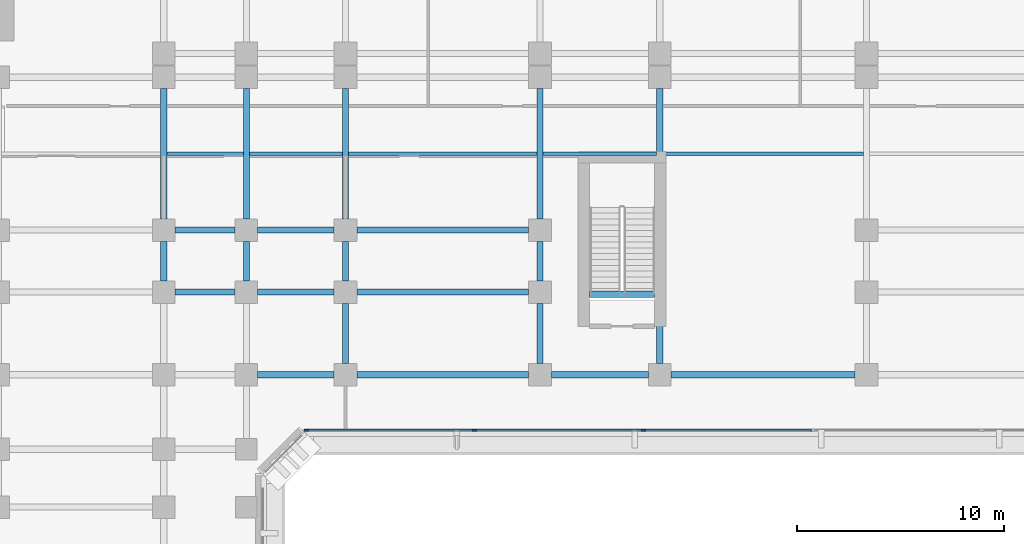
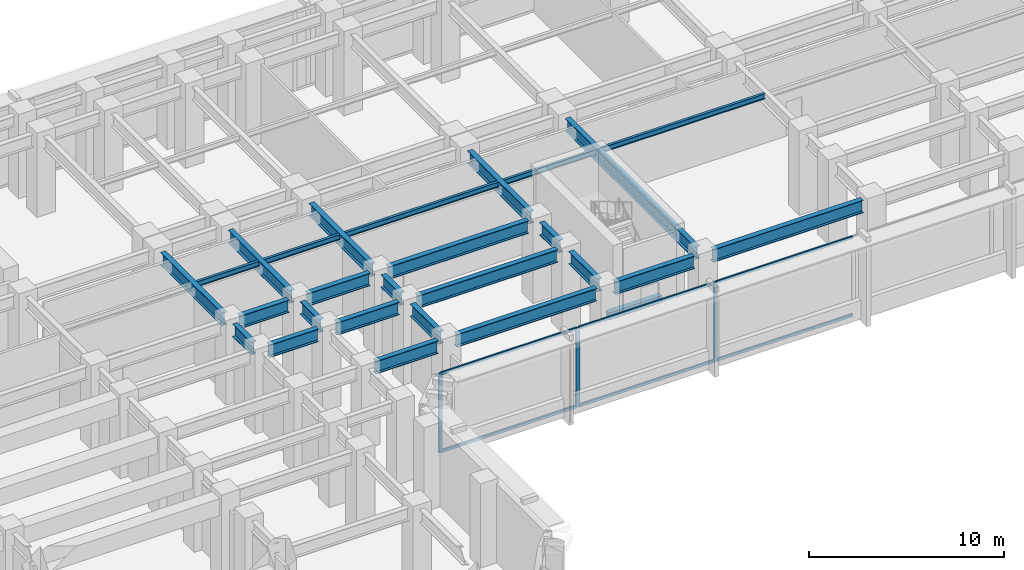
# One storey, part 4 of 20: 27 beams, 9 members, 1 element without a shape of its own.
"""IFC4 building model written with IfcOpenShell, lengths in metres."""

from ifc_helpers import new_model, si_unit, direction, frame, origin, origin_2d, place, context, subcontext, project, spatial, rectangle, i_section, extrude, material, layer, layer_set, material_profile, profile_set, type_object, element, aggregate, save


model = new_model("IFC4")

# Units and contexts
model_context = context("Model", 3, precision=1e-05, world=origin(), true_north=direction((0.0, 1.0)))
body_context = subcontext(model_context, "Body", "Model", "MODEL_VIEW")
ifc_project = project(units=[si_unit("LENGTHUNIT", "METRE"), si_unit("AREAUNIT", "SQUARE_METRE"), si_unit("VOLUMEUNIT", "CUBIC_METRE"), si_unit("PLANEANGLEUNIT", "RADIAN"), si_unit("MASSUNIT", "GRAM", prefix="KILO")], contexts=[model_context])

# Site, building, storey
site_placement = place(None, origin())
site = spatial("IfcSite", under=ifc_project, at=site_placement, CompositionType="ELEMENT")
building_placement = place(site_placement, origin())
building = spatial("IfcBuilding", under=site, at=building_placement, Name="Kefirva Bronze Tower", CompositionType="ELEMENT")
storey_placement = place(building_placement, frame((0.0, 0.0, 5.93994140625)))
storey = spatial("IfcBuildingStorey", under=building, at=storey_placement, Name="L01", CompositionType="ELEMENT", Elevation=5.93994140625)

# Curtain wall, members
ifc_material_1 = material(Name="Bronze anodised aluminium", Category="aluminium")
ifc_layer = layer(ifc_material_1, 0.239990234375, Name="Bronze anodised aluminium")
ifc_layer_set = layer_set([ifc_layer], Name="Bronze anodised aluminium")
curtain_wall_type = type_object("IfcCurtainWallType", Name="Podium Double-Height Glazed Curtain Wall", PredefinedType="USERDEFINED", material=ifc_layer_set)
curtain_wall_placement = place(storey_placement, origin())
curtain_wall = element("IfcCurtainWall", 1, at=curtain_wall_placement, inside=storey, type_object=curtain_wall_type, Name="L01 Curtain Wall 2", ObjectType="UNITISED CURTAIN WALL", PredefinedType="USERDEFINED")
ifc_material_profile_1 = material_profile(ifc_material_1, rectangle(XDim=0.090087890625, YDim=0.219970703125, at=origin_2d()), Name="ALU 90x220")
ifc_profile_set_1 = profile_set([ifc_material_profile_1], Name="Bronze anodised aluminium")
member_type_1 = type_object("IfcMemberType", Name="Bronze Mullion 90x220", PredefinedType="MULLION", material=ifc_profile_set_1)
member_1_placement = place(storey_placement, frame((38.10009765625, 16.1201171875, 0.0), z_axis=(0.0, 0.0, 1.0), x_axis=(0.0, 1.0, 0.0)))
member_1 = element("IfcMember", 2, at=member_1_placement, type_object=member_type_1, Name="CW-05 mullion 1", PredefinedType="MULLION", context=body_context, shape_type="SweptSolid", body=[
    extrude(rectangle(XDim=0.090087890625, YDim=0.219970703125, at=origin_2d()), origin(), (0.0, 0.0, 1.0), 4.9599609375),
])
member_2_placement = place(storey_placement, frame((46.23291015625, 16.1201171875, 0.0), z_axis=(0.0, 0.0, 1.0), x_axis=(0.0, 1.0, 0.0)))
member_2 = element("IfcMember", 3, at=member_2_placement, type_object=member_type_1, Name="CW-05 mullion 2", PredefinedType="MULLION", context=body_context, shape_type="SweptSolid", body=[
    extrude(rectangle(XDim=0.090087890625, YDim=0.219970703125, at=origin_2d()), origin(), (0.0, 0.0, 1.0), 4.9599609375),
])
member_3_placement = place(storey_placement, frame((54.410888671875, 16.1201171875, 0.0), z_axis=(0.0, 0.0, 1.0), x_axis=(0.0, 1.0, 0.0)))
member_3 = element("IfcMember", 4, at=member_3_placement, type_object=member_type_1, Name="CW-05 mullion 3", PredefinedType="MULLION", context=body_context, shape_type="SweptSolid", body=[
    extrude(rectangle(XDim=0.090087890625, YDim=0.219970703125, at=origin_2d()), origin(), (0.0, 0.0, 1.0), 4.9599609375),
])
ifc_material_profile_2 = material_profile(ifc_material_1, rectangle(XDim=0.090087890625, YDim=0.179931640625, at=origin_2d()), Name="ALU 90x180")
ifc_profile_set_2 = profile_set([ifc_material_profile_2], Name="Bronze anodised aluminium")
member_type_2 = type_object("IfcMemberType", Name="Bronze Transom 90x180", PredefinedType="USERDEFINED", material=ifc_profile_set_2)
member_4_placement = place(storey_placement, frame((38.14501953125, 16.1201171875, 0.045166015625), z_axis=(1.0, 0.0, 0.0), x_axis=(0.0, 1.0, 0.0)))
member_4 = element("IfcMember", 5, at=member_4_placement, type_object=member_type_2, Name="CW-05 transom 1.1", ObjectType="TRANSOM", PredefinedType="USERDEFINED", context=body_context, shape_type="SweptSolid", body=[
    extrude(rectangle(XDim=0.090087890625, YDim=0.179931640625, at=origin_2d()), origin(), (0.0, 0.0, 1.0), 8.04296875),
])
member_5_placement = place(storey_placement, frame((38.14501953125, 16.1201171875, 4.9150390625), z_axis=(1.0, 0.0, 0.0), x_axis=(0.0, 1.0, 0.0)))
member_5 = element("IfcMember", 6, at=member_5_placement, type_object=member_type_2, Name="CW-05 transom 1.2", ObjectType="TRANSOM", PredefinedType="USERDEFINED", context=body_context, shape_type="SweptSolid", body=[
    extrude(rectangle(XDim=0.090087890625, YDim=0.179931640625, at=origin_2d()), origin(), (0.0, 0.0, 1.0), 8.04296875),
])
member_6_placement = place(storey_placement, frame((46.278076171875, 16.1201171875, 0.045166015625), z_axis=(1.0, 0.0, 0.0), x_axis=(0.0, 1.0, 0.0)))
member_6 = element("IfcMember", 7, at=member_6_placement, type_object=member_type_2, Name="CW-05 transom 2.1", ObjectType="TRANSOM", PredefinedType="USERDEFINED", context=body_context, shape_type="SweptSolid", body=[
    extrude(rectangle(XDim=0.090087890625, YDim=0.179931640625, at=origin_2d()), origin(), (0.0, 0.0, 1.0), 8.087890625),
])
member_7_placement = place(storey_placement, frame((46.278076171875, 16.1201171875, 4.9150390625), z_axis=(1.0, 0.0, 0.0), x_axis=(0.0, 1.0, 0.0)))
member_7 = element("IfcMember", 8, at=member_7_placement, type_object=member_type_2, Name="CW-05 transom 2.2", ObjectType="TRANSOM", PredefinedType="USERDEFINED", context=body_context, shape_type="SweptSolid", body=[
    extrude(rectangle(XDim=0.090087890625, YDim=0.179931640625, at=origin_2d()), origin(), (0.0, 0.0, 1.0), 8.087890625),
])
member_8_placement = place(storey_placement, frame((54.4560546875, 16.1201171875, 0.045166015625), z_axis=(1.0, 0.0, 0.0), x_axis=(0.0, 1.0, 0.0)))
member_8 = element("IfcMember", 9, at=member_8_placement, type_object=member_type_2, Name="CW-05 transom 3.1", ObjectType="TRANSOM", PredefinedType="USERDEFINED", context=body_context, shape_type="SweptSolid", body=[
    extrude(rectangle(XDim=0.090087890625, YDim=0.179931640625, at=origin_2d()), origin(), (0.0, 0.0, 1.0), 8.087890625),
])
member_9_placement = place(storey_placement, frame((54.4560546875, 16.1201171875, 4.9150390625), z_axis=(1.0, 0.0, 0.0), x_axis=(0.0, 1.0, 0.0)))
member_9 = element("IfcMember", 10, at=member_9_placement, type_object=member_type_2, Name="CW-05 transom 3.2", ObjectType="TRANSOM", PredefinedType="USERDEFINED", context=body_context, shape_type="SweptSolid", body=[
    extrude(rectangle(XDim=0.090087890625, YDim=0.179931640625, at=origin_2d()), origin(), (0.0, 0.0, 1.0), 8.087890625),
])
aggregate(curtain_wall, [member_1, member_2, member_3, member_4, member_5, member_6, member_7, member_8, member_9])

# Beams
ifc_material_2 = material(Name="Concrete C50/60", Category="concrete")
ifc_material_profile_3 = material_profile(ifc_material_2, rectangle(XDim=0.300048828125, YDim=0.449951171875, at=origin_2d()), Name="RC 300x450")
ifc_profile_set_3 = profile_set([ifc_material_profile_3], Name="Concrete C50/60")
beam_type_1 = type_object("IfcBeamType", Name="RC Stair Trimmer Beam 300x450", PredefinedType="BEAM", material=ifc_profile_set_3)
beam_1_placement = place(storey_placement, frame((51.794921875, 22.699951171875, -0.224853515625), z_axis=(1.0, 0.0, 0.0), x_axis=(0.0, 1.0, 0.0)))
element("IfcBeam", 11, at=beam_1_placement, inside=storey, type_object=beam_type_1, Name="L01 Stair 4 Landing Trimmer Beam", PredefinedType="BEAM", context=body_context, shape_type="SweptSolid", body=[
    extrude(rectangle(XDim=0.300048828125, YDim=0.449951171875, at=origin_2d()), origin(), (0.0, 0.0, 1.0), 3.150146484375),
])
ifc_material_3 = material(Name="Steel S355", Category="steel")
ifc_material_profile_4 = material_profile(ifc_material_3, i_section(OverallWidth=0.159912109375, OverallDepth=0.330078125, WebThickness=0.007568359375, FlangeThickness=0.011474609375, at=origin_2d()), Name="IPE 330")
ifc_profile_set_4 = profile_set([ifc_material_profile_4], Name="Steel S355")
beam_type_2 = type_object("IfcBeamType", Name="Steel Floor Joist IPE 330", PredefinedType="JOIST", material=ifc_profile_set_4)
beam_2_placement = place(storey_placement, frame((31.35009765625, 29.5, 4.795166015625), z_axis=(1.0, 0.0, 0.0), x_axis=(0.0, 1.0, 0.0)))
element("IfcBeam", 12, at=beam_2_placement, inside=storey, type_object=beam_type_2, Name="L01 JST-L01-31-295", PredefinedType="JOIST", context=body_context, shape_type="SweptSolid", body=[
    extrude(i_section(OverallWidth=0.159912109375, OverallDepth=0.330078125, WebThickness=0.007568359375, FlangeThickness=0.011474609375, at=origin_2d()), origin(), (0.0, 0.0, 1.0), 3.699951171875),
])
beam_3_placement = place(storey_placement, frame((35.35009765625, 29.5, 4.795166015625), z_axis=(1.0, 0.0, 0.0), x_axis=(0.0, 1.0, 0.0)))
element("IfcBeam", 13, at=beam_3_placement, inside=storey, type_object=beam_type_2, Name="L01 JST-L01-35-295", PredefinedType="JOIST", context=body_context, shape_type="SweptSolid", body=[
    extrude(i_section(OverallWidth=0.159912109375, OverallDepth=0.330078125, WebThickness=0.007568359375, FlangeThickness=0.011474609375, at=origin_2d()), origin(), (0.0, 0.0, 1.0), 4.5),
])
beam_4_placement = place(storey_placement, frame((40.14990234375, 29.5, 4.795166015625), z_axis=(1.0, 0.0, 0.0), x_axis=(0.0, 1.0, 0.0)))
element("IfcBeam", 14, at=beam_4_placement, inside=storey, type_object=beam_type_2, Name="L01 JST-L01-40-295", PredefinedType="JOIST", context=body_context, shape_type="SweptSolid", body=[
    extrude(i_section(OverallWidth=0.159912109375, OverallDepth=0.330078125, WebThickness=0.007568359375, FlangeThickness=0.011474609375, at=origin_2d()), origin(), (0.0, 0.0, 1.0), 9.10009765625),
])
beam_5_placement = place(storey_placement, frame((49.550048828125, 29.5, 4.795166015625), z_axis=(1.0, 0.0, 0.0), x_axis=(0.0, 1.0, 0.0)))
element("IfcBeam", 15, at=beam_5_placement, inside=storey, type_object=beam_type_2, Name="L01 JST-L01-49-295", PredefinedType="JOIST", context=body_context, shape_type="SweptSolid", body=[
    extrude(i_section(OverallWidth=0.159912109375, OverallDepth=0.330078125, WebThickness=0.007568359375, FlangeThickness=0.011474609375, at=origin_2d()), origin(), (0.0, 0.0, 1.0), 5.5),
])
beam_6_placement = place(storey_placement, frame((55.35009765625, 29.5, 4.795166015625), z_axis=(1.0, 0.0, 0.0), x_axis=(0.0, 1.0, 0.0)))
element("IfcBeam", 16, at=beam_6_placement, inside=storey, type_object=beam_type_2, Name="L01 JST-L01-55-295", PredefinedType="JOIST", context=body_context, shape_type="SweptSolid", body=[
    extrude(i_section(OverallWidth=0.159912109375, OverallDepth=0.330078125, WebThickness=0.007568359375, FlangeThickness=0.011474609375, at=origin_2d()), origin(), (0.0, 0.0, 1.0), 9.699951171875),
])
ifc_material_profile_5 = material_profile(ifc_material_3, i_section(OverallWidth=0.300048828125, OverallDepth=0.800048828125, WebThickness=0.017578125, FlangeThickness=0.032958984375, at=origin_2d()), Name="HEB 800")
ifc_profile_set_5 = profile_set([ifc_material_profile_5], Name="Steel S355")
beam_type_3 = type_object("IfcBeamType", Name="Steel Girder HEB 800", PredefinedType="USERDEFINED", material=ifc_profile_set_5)
beam_7_placement = place(storey_placement, frame((35.75, 18.800048828125, 4.56005859375), z_axis=(1.0, 0.0, 0.0), x_axis=(0.0, 1.0, 0.0)))
element("IfcBeam", 17, at=beam_7_placement, inside=storey, type_object=beam_type_3, Name="L01 BM-L01-EW-35-188", ObjectType="GIRDER", PredefinedType="USERDEFINED", context=body_context, shape_type="SweptSolid", body=[
    extrude(i_section(OverallWidth=0.300048828125, OverallDepth=0.800048828125, WebThickness=0.017578125, FlangeThickness=0.032958984375, at=origin_2d()), origin(), (0.0, 0.0, 1.0), 3.699951171875),
])
beam_8_placement = place(storey_placement, frame((40.550048828125, 18.800048828125, 4.56005859375), z_axis=(1.0, 0.0, 0.0), x_axis=(0.0, 1.0, 0.0)))
element("IfcBeam", 18, at=beam_8_placement, inside=storey, type_object=beam_type_3, Name="L01 BM-L01-EW-40-188", ObjectType="GIRDER", PredefinedType="USERDEFINED", context=body_context, shape_type="SweptSolid", body=[
    extrude(i_section(OverallWidth=0.300048828125, OverallDepth=0.800048828125, WebThickness=0.017578125, FlangeThickness=0.032958984375, at=origin_2d()), origin(), (0.0, 0.0, 1.0), 8.300048828125),
])
beam_9_placement = place(storey_placement, frame((49.949951171875, 18.800048828125, 4.56005859375), z_axis=(1.0, 0.0, 0.0), x_axis=(0.0, 1.0, 0.0)))
element("IfcBeam", 19, at=beam_9_placement, inside=storey, type_object=beam_type_3, Name="L01 BM-L01-EW-49-188", ObjectType="GIRDER", PredefinedType="USERDEFINED", context=body_context, shape_type="SweptSolid", body=[
    extrude(i_section(OverallWidth=0.300048828125, OverallDepth=0.800048828125, WebThickness=0.017578125, FlangeThickness=0.032958984375, at=origin_2d()), origin(), (0.0, 0.0, 1.0), 4.699951171875),
])
beam_10_placement = place(storey_placement, frame((55.75, 18.800048828125, 4.56005859375), z_axis=(1.0, 0.0, 0.0), x_axis=(0.0, 1.0, 0.0)))
element("IfcBeam", 20, at=beam_10_placement, inside=storey, type_object=beam_type_3, Name="L01 BM-L01-EW-55-188", ObjectType="GIRDER", PredefinedType="USERDEFINED", context=body_context, shape_type="SweptSolid", body=[
    extrude(i_section(OverallWidth=0.300048828125, OverallDepth=0.800048828125, WebThickness=0.017578125, FlangeThickness=0.032958984375, at=origin_2d()), origin(), (0.0, 0.0, 1.0), 8.89990234375),
])
beam_11_placement = place(storey_placement, frame((31.75, 22.800048828125, 4.56005859375), z_axis=(1.0, 0.0, 0.0), x_axis=(0.0, 1.0, 0.0)))
element("IfcBeam", 21, at=beam_11_placement, inside=storey, type_object=beam_type_3, Name="L01 BM-L01-EW-31-228", ObjectType="GIRDER", PredefinedType="USERDEFINED", context=body_context, shape_type="SweptSolid", body=[
    extrude(i_section(OverallWidth=0.300048828125, OverallDepth=0.800048828125, WebThickness=0.017578125, FlangeThickness=0.032958984375, at=origin_2d()), origin(), (0.0, 0.0, 1.0), 2.89990234375),
])
beam_12_placement = place(storey_placement, frame((35.75, 22.800048828125, 4.56005859375), z_axis=(1.0, 0.0, 0.0), x_axis=(0.0, 1.0, 0.0)))
element("IfcBeam", 22, at=beam_12_placement, inside=storey, type_object=beam_type_3, Name="L01 BM-L01-EW-35-228", ObjectType="GIRDER", PredefinedType="USERDEFINED", context=body_context, shape_type="SweptSolid", body=[
    extrude(i_section(OverallWidth=0.300048828125, OverallDepth=0.800048828125, WebThickness=0.017578125, FlangeThickness=0.032958984375, at=origin_2d()), origin(), (0.0, 0.0, 1.0), 3.699951171875),
])
beam_13_placement = place(storey_placement, frame((40.550048828125, 22.800048828125, 4.56005859375), z_axis=(1.0, 0.0, 0.0), x_axis=(0.0, 1.0, 0.0)))
element("IfcBeam", 23, at=beam_13_placement, inside=storey, type_object=beam_type_3, Name="L01 BM-L01-EW-40-228", ObjectType="GIRDER", PredefinedType="USERDEFINED", context=body_context, shape_type="SweptSolid", body=[
    extrude(i_section(OverallWidth=0.300048828125, OverallDepth=0.800048828125, WebThickness=0.017578125, FlangeThickness=0.032958984375, at=origin_2d()), origin(), (0.0, 0.0, 1.0), 8.300048828125),
])
beam_14_placement = place(storey_placement, frame((31.75, 25.800048828125, 4.56005859375), z_axis=(1.0, 0.0, 0.0), x_axis=(0.0, 1.0, 0.0)))
element("IfcBeam", 24, at=beam_14_placement, inside=storey, type_object=beam_type_3, Name="L01 BM-L01-EW-31-258", ObjectType="GIRDER", PredefinedType="USERDEFINED", context=body_context, shape_type="SweptSolid", body=[
    extrude(i_section(OverallWidth=0.300048828125, OverallDepth=0.800048828125, WebThickness=0.017578125, FlangeThickness=0.032958984375, at=origin_2d()), origin(), (0.0, 0.0, 1.0), 2.89990234375),
])
beam_15_placement = place(storey_placement, frame((35.75, 25.800048828125, 4.56005859375), z_axis=(1.0, 0.0, 0.0), x_axis=(0.0, 1.0, 0.0)))
element("IfcBeam", 25, at=beam_15_placement, inside=storey, type_object=beam_type_3, Name="L01 BM-L01-EW-35-258", ObjectType="GIRDER", PredefinedType="USERDEFINED", context=body_context, shape_type="SweptSolid", body=[
    extrude(i_section(OverallWidth=0.300048828125, OverallDepth=0.800048828125, WebThickness=0.017578125, FlangeThickness=0.032958984375, at=origin_2d()), origin(), (0.0, 0.0, 1.0), 3.699951171875),
])
beam_16_placement = place(storey_placement, frame((40.550048828125, 25.800048828125, 4.56005859375), z_axis=(1.0, 0.0, 0.0), x_axis=(0.0, 1.0, 0.0)))
element("IfcBeam", 26, at=beam_16_placement, inside=storey, type_object=beam_type_3, Name="L01 BM-L01-EW-40-258", ObjectType="GIRDER", PredefinedType="USERDEFINED", context=body_context, shape_type="SweptSolid", body=[
    extrude(i_section(OverallWidth=0.300048828125, OverallDepth=0.800048828125, WebThickness=0.017578125, FlangeThickness=0.032958984375, at=origin_2d()), origin(), (0.0, 0.0, 1.0), 8.300048828125),
])
beam_17_placement = place(storey_placement, frame((31.199951171875, 23.35009765625, 4.56005859375), z_axis=(0.0, 1.0, 0.0), x_axis=(-1.0, 0.0, 0.0)))
element("IfcBeam", 27, at=beam_17_placement, inside=storey, type_object=beam_type_3, Name="L01 BM-L01-NS-312-22", ObjectType="GIRDER", PredefinedType="USERDEFINED", context=body_context, shape_type="SweptSolid", body=[
    extrude(i_section(OverallWidth=0.300048828125, OverallDepth=0.800048828125, WebThickness=0.017578125, FlangeThickness=0.032958984375, at=origin_2d()), origin(), (0.0, 0.0, 1.0), 1.89990234375),
])
beam_18_placement = place(storey_placement, frame((31.199951171875, 26.35009765625, 4.56005859375), z_axis=(0.0, 1.0, 0.0), x_axis=(-1.0, 0.0, 0.0)))
element("IfcBeam", 28, at=beam_18_placement, inside=storey, type_object=beam_type_3, Name="L01 BM-L01-NS-312-25", ObjectType="GIRDER", PredefinedType="USERDEFINED", context=body_context, shape_type="SweptSolid", body=[
    extrude(i_section(OverallWidth=0.300048828125, OverallDepth=0.800048828125, WebThickness=0.017578125, FlangeThickness=0.032958984375, at=origin_2d()), origin(), (0.0, 0.0, 1.0), 6.2998046875),
])
beam_19_placement = place(storey_placement, frame((35.199951171875, 23.35009765625, 4.56005859375), z_axis=(0.0, 1.0, 0.0), x_axis=(-1.0, 0.0, 0.0)))
element("IfcBeam", 29, at=beam_19_placement, inside=storey, type_object=beam_type_3, Name="L01 BM-L01-NS-352-22", ObjectType="GIRDER", PredefinedType="USERDEFINED", context=body_context, shape_type="SweptSolid", body=[
    extrude(i_section(OverallWidth=0.300048828125, OverallDepth=0.800048828125, WebThickness=0.017578125, FlangeThickness=0.032958984375, at=origin_2d()), origin(), (0.0, 0.0, 1.0), 1.89990234375),
])
beam_20_placement = place(storey_placement, frame((35.199951171875, 26.35009765625, 4.56005859375), z_axis=(0.0, 1.0, 0.0), x_axis=(-1.0, 0.0, 0.0)))
element("IfcBeam", 30, at=beam_20_placement, inside=storey, type_object=beam_type_3, Name="L01 BM-L01-NS-352-25", ObjectType="GIRDER", PredefinedType="USERDEFINED", context=body_context, shape_type="SweptSolid", body=[
    extrude(i_section(OverallWidth=0.300048828125, OverallDepth=0.800048828125, WebThickness=0.017578125, FlangeThickness=0.032958984375, at=origin_2d()), origin(), (0.0, 0.0, 1.0), 6.2998046875),
])
beam_21_placement = place(storey_placement, frame((40.0, 19.35009765625, 4.56005859375), z_axis=(0.0, 1.0, 0.0), x_axis=(-1.0, 0.0, 0.0)))
element("IfcBeam", 31, at=beam_21_placement, inside=storey, type_object=beam_type_3, Name="L01 BM-L01-NS-400-18", ObjectType="GIRDER", PredefinedType="USERDEFINED", context=body_context, shape_type="SweptSolid", body=[
    extrude(i_section(OverallWidth=0.300048828125, OverallDepth=0.800048828125, WebThickness=0.017578125, FlangeThickness=0.032958984375, at=origin_2d()), origin(), (0.0, 0.0, 1.0), 2.89990234375),
])
beam_22_placement = place(storey_placement, frame((40.0, 23.35009765625, 4.56005859375), z_axis=(0.0, 1.0, 0.0), x_axis=(-1.0, 0.0, 0.0)))
element("IfcBeam", 32, at=beam_22_placement, inside=storey, type_object=beam_type_3, Name="L01 BM-L01-NS-400-22", ObjectType="GIRDER", PredefinedType="USERDEFINED", context=body_context, shape_type="SweptSolid", body=[
    extrude(i_section(OverallWidth=0.300048828125, OverallDepth=0.800048828125, WebThickness=0.017578125, FlangeThickness=0.032958984375, at=origin_2d()), origin(), (0.0, 0.0, 1.0), 1.89990234375),
])
beam_23_placement = place(storey_placement, frame((40.0, 26.35009765625, 4.56005859375), z_axis=(0.0, 1.0, 0.0), x_axis=(-1.0, 0.0, 0.0)))
element("IfcBeam", 33, at=beam_23_placement, inside=storey, type_object=beam_type_3, Name="L01 BM-L01-NS-400-25", ObjectType="GIRDER", PredefinedType="USERDEFINED", context=body_context, shape_type="SweptSolid", body=[
    extrude(i_section(OverallWidth=0.300048828125, OverallDepth=0.800048828125, WebThickness=0.017578125, FlangeThickness=0.032958984375, at=origin_2d()), origin(), (0.0, 0.0, 1.0), 6.2998046875),
])
beam_24_placement = place(storey_placement, frame((49.39990234375, 19.35009765625, 4.56005859375), z_axis=(0.0, 1.0, 0.0), x_axis=(-1.0, 0.0, 0.0)))
element("IfcBeam", 34, at=beam_24_placement, inside=storey, type_object=beam_type_3, Name="L01 BM-L01-NS-494-18", ObjectType="GIRDER", PredefinedType="USERDEFINED", context=body_context, shape_type="SweptSolid", body=[
    extrude(i_section(OverallWidth=0.300048828125, OverallDepth=0.800048828125, WebThickness=0.017578125, FlangeThickness=0.032958984375, at=origin_2d()), origin(), (0.0, 0.0, 1.0), 2.89990234375),
])
beam_25_placement = place(storey_placement, frame((49.39990234375, 23.35009765625, 4.56005859375), z_axis=(0.0, 1.0, 0.0), x_axis=(-1.0, 0.0, 0.0)))
element("IfcBeam", 35, at=beam_25_placement, inside=storey, type_object=beam_type_3, Name="L01 BM-L01-NS-494-22", ObjectType="GIRDER", PredefinedType="USERDEFINED", context=body_context, shape_type="SweptSolid", body=[
    extrude(i_section(OverallWidth=0.300048828125, OverallDepth=0.800048828125, WebThickness=0.017578125, FlangeThickness=0.032958984375, at=origin_2d()), origin(), (0.0, 0.0, 1.0), 1.89990234375),
])
beam_26_placement = place(storey_placement, frame((49.39990234375, 26.35009765625, 4.56005859375), z_axis=(0.0, 1.0, 0.0), x_axis=(-1.0, 0.0, 0.0)))
element("IfcBeam", 36, at=beam_26_placement, inside=storey, type_object=beam_type_3, Name="L01 BM-L01-NS-494-25", ObjectType="GIRDER", PredefinedType="USERDEFINED", context=body_context, shape_type="SweptSolid", body=[
    extrude(i_section(OverallWidth=0.300048828125, OverallDepth=0.800048828125, WebThickness=0.017578125, FlangeThickness=0.032958984375, at=origin_2d()), origin(), (0.0, 0.0, 1.0), 6.2998046875),
])
beam_27_placement = place(storey_placement, frame((55.199951171875, 19.35009765625, 4.56005859375), z_axis=(0.0, 1.0, 0.0), x_axis=(-1.0, 0.0, 0.0)))
element("IfcBeam", 37, at=beam_27_placement, inside=storey, type_object=beam_type_3, Name="L01 BM-L01-NS-552-18", ObjectType="GIRDER", PredefinedType="USERDEFINED", context=body_context, shape_type="SweptSolid", body=[
    extrude(i_section(OverallWidth=0.300048828125, OverallDepth=0.800048828125, WebThickness=0.017578125, FlangeThickness=0.032958984375, at=origin_2d()), origin(), (0.0, 0.0, 1.0), 13.2998046875),
])

save(model, "model.ifc")
